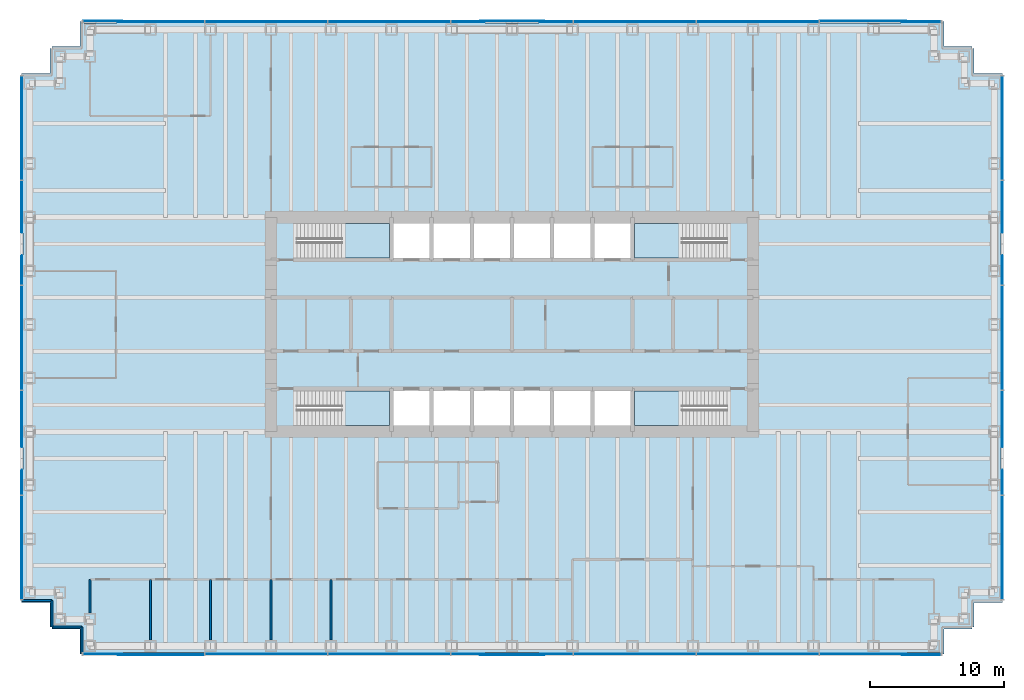
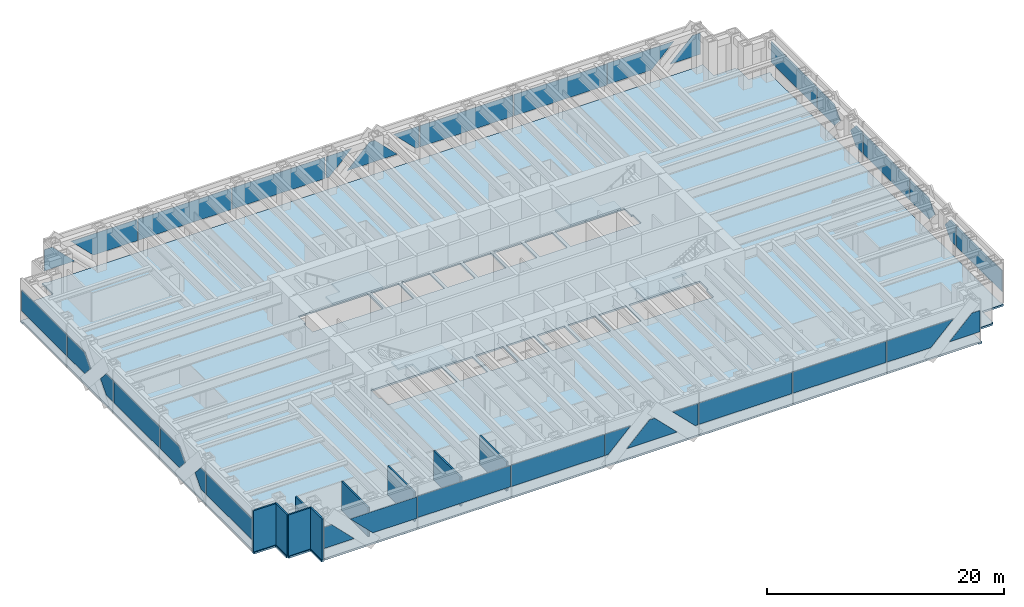
# One storey, part 8 of 13: 36 plates, 9 walls, 5 slabs, 8 elements without a shape of their own.
"""IFC4 building model written with IfcOpenShell, lengths in metres."""

from ifc_helpers import new_model, si_unit, direction, frame, frame_2d, origin, origin_2d, place, context, subcontext, project, spatial, polyline, rectangle, outline, extrude, material, layer, layer_set, type_object, element, aggregate, save


model = new_model("IFC4")

# Units and contexts
model_context = context("Model", 3, precision=1e-05, world=origin(), true_north=direction((0.0, 1.0)))
body_context = subcontext(model_context, "Body", "Model", "MODEL_VIEW")
ifc_project = project(units=[si_unit("LENGTHUNIT", "METRE"), si_unit("AREAUNIT", "SQUARE_METRE"), si_unit("VOLUMEUNIT", "CUBIC_METRE"), si_unit("PLANEANGLEUNIT", "RADIAN"), si_unit("MASSUNIT", "GRAM", prefix="KILO")], contexts=[model_context])

# Site, building, storey
site_placement = place(None, origin())
site = spatial("IfcSite", under=ifc_project, at=site_placement, CompositionType="ELEMENT")
building_placement = place(site_placement, origin())
building = spatial("IfcBuilding", under=site, at=building_placement, Name="Rheinbord Bourse Tower", CompositionType="ELEMENT")
storey_placement = place(building_placement, frame((0.0, 0.0, 90.5)))
storey = spatial("IfcBuildingStorey", under=building, at=storey_placement, Name="L19", CompositionType="ELEMENT", Elevation=90.5)

# Slab
ifc_material_1 = material(Name="Concrete C30/37", Category="concrete")
ifc_layer_1 = layer(ifc_material_1, 0.179931640625)
ifc_layer_set_1 = layer_set([ifc_layer_1], Name="COMPOSITE FLOOR SLAB 180")
slab_type_1 = type_object("IfcSlabType", Name="COMPOSITE FLOOR SLAB 180", PredefinedType="FLOOR", material=ifc_layer_set_1)
slab_1_placement = place(storey_placement, frame((0.0, 0.0, -0.179931640625)))
element("IfcSlab", 1, at=slab_1_placement, inside=storey, type_object=slab_type_1, Name="Floor slab L19", PredefinedType="FLOOR", context=body_context, shape_type="SweptSolid", body=[
    extrude(outline(polyline([(1.64990234375, 1.39990234375), (1.5, 1.39990234375), (1.5, 3.25), (-0.60009765625, 3.25), (-0.60009765625, 3.550048828125), (-0.5, 3.550048828125), (-0.5, 42.449951171875), (-0.60009765625, 42.449951171875), (-0.60009765625, 42.75), (1.5, 42.75), (1.5, 44.60009765625), (1.64990234375, 44.60009765625), (1.64990234375, 44.75), (3.75, 44.75), (3.75, 46.60009765625), (4.050048828125, 46.60009765625), (4.050048828125, 46.5), (67.949951171875, 46.5), (67.949951171875, 46.60009765625), (68.25, 46.60009765625), (68.25, 44.75), (70.35009765625, 44.75), (70.35009765625, 44.60009765625), (70.5, 44.60009765625), (70.5, 42.75), (72.60009765625, 42.75), (72.60009765625, 42.449951171875), (72.5, 42.449951171875), (72.5, 3.550048828125), (72.60009765625, 3.550048828125), (72.60009765625, 3.25), (70.5, 3.25), (70.5, 1.39990234375), (70.35009765625, 1.39990234375), (70.35009765625, 1.25), (68.25, 1.25), (68.25, -0.60009765625), (67.949951171875, -0.60009765625), (67.949951171875, -0.5), (4.050048828125, -0.5), (4.050048828125, -0.60009765625), (3.75, -0.60009765625), (3.75, 1.25), (1.64990234375, 1.25), (1.64990234375, 1.39990234375)]), holes=[polyline([(19.949951171875, 19.050048828125), (26.85009765625, 19.050048828125), (26.85009765625, 16.449951171875), (20.10009765625, 16.449951171875), (20.10009765625, 17.64990234375), (19.949951171875, 17.64990234375), (19.949951171875, 19.050048828125)]), polyline([(26.85009765625, 31.550048828125), (26.85009765625, 28.949951171875), (19.949951171875, 28.949951171875), (19.949951171875, 30.35009765625), (20.10009765625, 30.35009765625), (20.10009765625, 31.550048828125), (26.85009765625, 31.550048828125)]), polyline([(45.14990234375, 16.449951171875), (45.14990234375, 19.050048828125), (52.050048828125, 19.050048828125), (52.050048828125, 17.64990234375), (51.89990234375, 17.64990234375), (51.89990234375, 16.449951171875), (45.14990234375, 16.449951171875)]), polyline([(52.050048828125, 28.949951171875), (45.14990234375, 28.949951171875), (45.14990234375, 31.550048828125), (51.89990234375, 31.550048828125), (51.89990234375, 30.35009765625), (52.050048828125, 30.35009765625), (52.050048828125, 28.949951171875)]), polyline([(27.14990234375, 16.449951171875), (27.14990234375, 19.050048828125), (29.85009765625, 19.050048828125), (29.85009765625, 16.449951171875), (27.14990234375, 16.449951171875)]), polyline([(27.14990234375, 28.949951171875), (27.14990234375, 31.550048828125), (29.85009765625, 31.550048828125), (29.85009765625, 28.949951171875), (27.14990234375, 28.949951171875)]), polyline([(30.14990234375, 16.449951171875), (30.14990234375, 19.050048828125), (32.85009765625, 19.050048828125), (32.85009765625, 16.449951171875), (30.14990234375, 16.449951171875)]), polyline([(30.14990234375, 28.949951171875), (30.14990234375, 31.550048828125), (32.85009765625, 31.550048828125), (32.85009765625, 28.949951171875), (30.14990234375, 28.949951171875)]), polyline([(33.14990234375, 16.449951171875), (33.14990234375, 19.050048828125), (35.85009765625, 19.050048828125), (35.85009765625, 16.449951171875), (33.14990234375, 16.449951171875)]), polyline([(33.14990234375, 28.949951171875), (33.14990234375, 31.550048828125), (35.85009765625, 31.550048828125), (35.85009765625, 28.949951171875), (33.14990234375, 28.949951171875)]), polyline([(36.14990234375, 16.449951171875), (36.14990234375, 19.050048828125), (38.85009765625, 19.050048828125), (38.85009765625, 16.449951171875), (36.14990234375, 16.449951171875)]), polyline([(36.14990234375, 28.949951171875), (36.14990234375, 31.550048828125), (38.85009765625, 31.550048828125), (38.85009765625, 28.949951171875), (36.14990234375, 28.949951171875)]), polyline([(39.14990234375, 16.449951171875), (39.14990234375, 19.050048828125), (41.85009765625, 19.050048828125), (41.85009765625, 16.449951171875), (39.14990234375, 16.449951171875)]), polyline([(39.14990234375, 28.949951171875), (39.14990234375, 31.550048828125), (41.85009765625, 31.550048828125), (41.85009765625, 28.949951171875), (39.14990234375, 28.949951171875)]), polyline([(42.14990234375, 16.449951171875), (42.14990234375, 19.050048828125), (44.85009765625, 19.050048828125), (44.85009765625, 16.449951171875), (42.14990234375, 16.449951171875)]), polyline([(42.14990234375, 28.949951171875), (42.14990234375, 31.550048828125), (44.85009765625, 31.550048828125), (44.85009765625, 28.949951171875), (42.14990234375, 28.949951171875)])]), origin(), (0.0, 0.0, 1.0), 0.179931640625),
])

# Curtain wall, plates
ifc_material_2 = material(Name="Dark glass and black aluminium", Category="aluminium")
curtain_wall_type = type_object("IfcCurtainWallType", Name="CW5 DARK GLASS CURTAIN WALL", PredefinedType="USERDEFINED", material=ifc_material_2)
curtain_wall_1_placement = place(storey_placement, origin())
curtain_wall_1 = element("IfcCurtainWall", 2, at=curtain_wall_1_placement, inside=storey, type_object=curtain_wall_type, Name="Curtain wall CW5 S L19", ObjectType="UNITISED CURTAIN WALL", PredefinedType="USERDEFINED")
ifc_material_3 = material(Name="Dark tinted triple insulating glass", Category="glass")
ifc_layer_2 = layer(ifc_material_3, 0.050048828125)
ifc_layer_set_2 = layer_set([ifc_layer_2], Name="CW5 DARK GLASS PANEL")
plate_type = type_object("IfcPlateType", Name="CW5 DARK GLASS PANEL", PredefinedType="CURTAIN_PANEL", material=ifc_layer_set_2)
plate_1_placement = place(storey_placement, frame((17.6572265625, -0.60009765625, 1.14990234375), z_axis=(0.0, 0.0, 1.0), x_axis=(1.0, 0.0, 0.0)))
plate_1 = element("IfcPlate", 3, at=plate_1_placement, type_object=plate_type, Name="CW5 panel 2.1", PredefinedType="CURTAIN_PANEL", context=body_context, shape_type="SweptSolid", body=[
    extrude(rectangle(XDim=9.09130859375, YDim=0.050048828125, at=origin_2d()), origin(), (0.0, 0.0, 1.0), 2.199951171875),
])
plate_2_placement = place(storey_placement, frame((26.82861328125, -0.60009765625, 1.14990234375), z_axis=(0.0, 0.0, 1.0), x_axis=(1.0, 0.0, 0.0)))
plate_2 = element("IfcPlate", 4, at=plate_2_placement, type_object=plate_type, Name="CW5 panel 3.1", PredefinedType="CURTAIN_PANEL", context=body_context, shape_type="SweptSolid", body=[
    extrude(rectangle(XDim=9.09130859375, YDim=0.050048828125, at=origin_2d()), origin(), (0.0, 0.0, 1.0), 2.199951171875),
])
plate_3_placement = place(storey_placement, frame((45.17138671875, -0.60009765625, 1.14990234375), z_axis=(0.0, 0.0, 1.0), x_axis=(1.0, 0.0, 0.0)))
plate_3 = element("IfcPlate", 5, at=plate_3_placement, type_object=plate_type, Name="CW5 panel 5.1", PredefinedType="CURTAIN_PANEL", context=body_context, shape_type="SweptSolid", body=[
    extrude(rectangle(XDim=9.09130859375, YDim=0.050048828125, at=origin_2d()), origin(), (0.0, 0.0, 1.0), 2.199951171875),
])
plate_4_placement = place(storey_placement, frame((54.3427734375, -0.60009765625, 1.14990234375), z_axis=(0.0, 0.0, 1.0), x_axis=(1.0, 0.0, 0.0)))
plate_4 = element("IfcPlate", 6, at=plate_4_placement, type_object=plate_type, Name="CW5 panel 6.1", PredefinedType="CURTAIN_PANEL", context=body_context, shape_type="SweptSolid", body=[
    extrude(rectangle(XDim=9.09130859375, YDim=0.050048828125, at=origin_2d()), origin(), (0.0, 0.0, 1.0), 2.199951171875),
])
plate_5_placement = place(storey_placement, frame((3.97998046875, -0.625, 1.14990234375), z_axis=(0.0, 1.0, 0.0), x_axis=(0.0, 0.0, 1.0)))
plate_5 = element("IfcPlate", 7, at=plate_5_placement, type_object=plate_type, Name="CW5 glass facet 1", PredefinedType="CURTAIN_PANEL", context=body_context, shape_type="SweptSolid", body=[
    extrude(outline(polyline([(0.0, 0.0), (2.2001953125, 0.0), (2.2001953125, 0.780029296875), (0.0, 2.97998046875), (0.0, 0.0)])), origin(), (0.0, 0.0, 1.0), 0.050048828125),
])
plate_6_placement = place(storey_placement, frame((13.031005859375, -0.68017578125, 3.35009765625), z_axis=(0.0, 1.0, 0.0), x_axis=(0.0, 0.0, -1.0)))
plate_6 = element("IfcPlate", 8, at=plate_6_placement, type_object=plate_type, Name="CW5 glass facet 2", PredefinedType="CURTAIN_PANEL", context=body_context, shape_type="SweptSolid", body=[
    extrude(outline(polyline([(0.0, 0.0), (2.2001953125, 0.0), (2.2001953125, 4.291015625), (0.0, 6.490966796875), (0.0, 0.0)])), origin(), (0.0, 0.0, 1.0), 0.050048828125),
])
plate_7_placement = place(storey_placement, frame((31.4541015625, -0.625, 1.14990234375), z_axis=(0.0, 1.0, 0.0), x_axis=(0.0, 0.0, 1.0)))
plate_7 = element("IfcPlate", 9, at=plate_7_placement, type_object=plate_type, Name="CW5 glass facet 1", PredefinedType="CURTAIN_PANEL", context=body_context, shape_type="SweptSolid", body=[
    extrude(outline(polyline([(0.0, 0.0), (2.2001953125, 0.0), (2.2001953125, 2.505859375), (0.0, 0.305908203125), (0.0, 0.0)])), origin(), (0.0, 0.0, 1.0), 0.050048828125),
])
plate_8_placement = place(storey_placement, frame((33.5400390625, -0.68017578125, 1.14990234375), z_axis=(0.0, 1.0, 0.0), x_axis=(0.70706754652, 0.0, 0.707146013676)))
plate_8 = element("IfcPlate", 10, at=plate_8_placement, type_object=plate_type, Name="CW5 glass facet 2", PredefinedType="CURTAIN_PANEL", context=body_context, shape_type="SweptSolid", body=[
    extrude(outline(polyline([(0.0, 0.0), (3.111328125, 0.0), (3.47900390625, 0.36767578125), (3.478759765625, 3.47900390625), (0.0, 0.0)])), origin(), (0.0, 0.0, 1.0), 0.050048828125),
])
plate_9_placement = place(storey_placement, frame((40.5458984375, -0.625, 3.35009765625), z_axis=(0.0, 1.0, 0.0), x_axis=(0.0, 0.0, -1.0)))
plate_9 = element("IfcPlate", 11, at=plate_9_placement, type_object=plate_type, Name="CW5 glass facet 3", PredefinedType="CURTAIN_PANEL", context=body_context, shape_type="SweptSolid", body=[
    extrude(outline(polyline([(0.0, 0.0), (2.2001953125, 0.0), (2.2001953125, 0.305908203125), (0.0, 2.505859375), (0.0, 0.0)])), origin(), (0.0, 0.0, 1.0), 0.050048828125),
])
plate_10_placement = place(storey_placement, frame((58.968994140625, -0.625, 1.14990234375), z_axis=(0.0, 1.0, 0.0), x_axis=(0.0, 0.0, 1.0)))
plate_10 = element("IfcPlate", 12, at=plate_10_placement, type_object=plate_type, Name="CW5 glass facet 1", PredefinedType="CURTAIN_PANEL", context=body_context, shape_type="SweptSolid", body=[
    extrude(outline(polyline([(0.0, 0.0), (2.2001953125, 0.0), (2.2001953125, 6.490966796875), (0.0, 4.291015625), (0.0, 0.0)])), origin(), (0.0, 0.0, 1.0), 0.050048828125),
])
plate_11_placement = place(storey_placement, frame((68.02001953125, -0.68017578125, 3.35009765625), z_axis=(0.0, 1.0, 0.0), x_axis=(0.0, 0.0, -1.0)))
plate_11 = element("IfcPlate", 13, at=plate_11_placement, type_object=plate_type, Name="CW5 glass facet 2", PredefinedType="CURTAIN_PANEL", context=body_context, shape_type="SweptSolid", body=[
    extrude(outline(polyline([(0.0, 0.0), (2.2001953125, 0.0), (2.2001953125, 2.97998046875), (0.0, 0.780029296875), (0.0, 0.0)])), origin(), (0.0, 0.0, 1.0), 0.050048828125),
])
aggregate(curtain_wall_1, [plate_1, plate_2, plate_3, plate_4, plate_5, plate_6, plate_7, plate_8, plate_9, plate_10, plate_11])

curtain_wall_2_placement = place(storey_placement, origin())
curtain_wall_2 = element("IfcCurtainWall", 14, at=curtain_wall_2_placement, inside=storey, type_object=curtain_wall_type, Name="Curtain wall CW5 E L19", ObjectType="UNITISED CURTAIN WALL", PredefinedType="USERDEFINED")
plate_12_placement = place(storey_placement, frame((72.60009765625, 7.340087890625, 1.14990234375), z_axis=(0.0, 0.0, 1.0), x_axis=(0.0, 1.0, 0.0)))
plate_12 = element("IfcPlate", 15, at=plate_12_placement, type_object=plate_type, Name="CW5 panel 1.1", PredefinedType="CURTAIN_PANEL", context=body_context, shape_type="SweptSolid", body=[
    extrude(rectangle(XDim=7.719970703125, YDim=0.050048828125, at=origin_2d()), origin(), (0.0, 0.0, 1.0), 2.199951171875),
])
plate_13_placement = place(storey_placement, frame((72.60009765625, 23.0, 1.14990234375), z_axis=(0.0, 0.0, 1.0), x_axis=(0.0, 1.0, 0.0)))
plate_13 = element("IfcPlate", 16, at=plate_13_placement, type_object=plate_type, Name="CW5 panel 3.1", PredefinedType="CURTAIN_PANEL", context=body_context, shape_type="SweptSolid", body=[
    extrude(rectangle(XDim=7.760009765625, YDim=0.050048828125, at=origin_2d()), origin(), (0.0, 0.0, 1.0), 2.199951171875),
])
plate_14_placement = place(storey_placement, frame((72.60009765625, 38.659912109375, 1.14990234375), z_axis=(0.0, 0.0, 1.0), x_axis=(0.0, 1.0, 0.0)))
plate_14 = element("IfcPlate", 17, at=plate_14_placement, type_object=plate_type, Name="CW5 panel 5.1", PredefinedType="CURTAIN_PANEL", context=body_context, shape_type="SweptSolid", body=[
    extrude(rectangle(XDim=7.719970703125, YDim=0.050048828125, at=origin_2d()), origin(), (0.0, 0.0, 1.0), 2.199951171875),
])
plate_15_placement = place(storey_placement, frame((72.625, 11.280029296875, 1.14990234375), z_axis=(-1.0, 0.0, 0.0), x_axis=(0.0, 0.0, 1.0)))
plate_15 = element("IfcPlate", 18, at=plate_15_placement, type_object=plate_type, Name="CW5 glass facet 1", PredefinedType="CURTAIN_PANEL", context=body_context, shape_type="SweptSolid", body=[
    extrude(outline(polyline([(0.0, 0.0), (2.2001953125, 0.0), (2.2001953125, 0.89990234375), (1.10009765625, 1.8779296875), (0.0, 0.89990234375), (0.0, 0.0)])), origin(), (0.0, 0.0, 1.0), 0.050048828125),
])
plate_16_placement = place(storey_placement, frame((72.625, 19.0400390625, 3.35009765625), z_axis=(-1.0, 0.0, 0.0), x_axis=(0.0, 0.0, -1.0)))
plate_16 = element("IfcPlate", 19, at=plate_16_placement, type_object=plate_type, Name="CW5 glass facet 2", PredefinedType="CURTAIN_PANEL", context=body_context, shape_type="SweptSolid", body=[
    extrude(outline(polyline([(0.0, 0.0), (2.2001953125, 0.0), (2.2001953125, 3.219970703125), (1.10009765625, 4.197998046875), (0.0, 3.219970703125), (0.0, 0.0)])), origin(), (0.0, 0.0, 1.0), 0.050048828125),
])
plate_17_placement = place(storey_placement, frame((72.625, 26.9599609375, 1.14990234375), z_axis=(-1.0, 0.0, 0.0), x_axis=(0.0, 0.0, 1.0)))
plate_17 = element("IfcPlate", 20, at=plate_17_placement, type_object=plate_type, Name="CW5 glass facet 1", PredefinedType="CURTAIN_PANEL", context=body_context, shape_type="SweptSolid", body=[
    extrude(outline(polyline([(0.0, 0.0), (2.2001953125, 0.0), (2.2001953125, 1.219970703125), (1.10009765625, 2.197998046875), (0.0, 1.219970703125), (0.0, 0.0)])), origin(), (0.0, 0.0, 1.0), 0.050048828125),
])
plate_18_placement = place(storey_placement, frame((72.625, 34.719970703125, 3.35009765625), z_axis=(-1.0, 0.0, 0.0), x_axis=(0.0, 0.0, -1.0)))
plate_18 = element("IfcPlate", 21, at=plate_18_placement, type_object=plate_type, Name="CW5 glass facet 2", PredefinedType="CURTAIN_PANEL", context=body_context, shape_type="SweptSolid", body=[
    extrude(outline(polyline([(0.0, 0.0), (2.2001953125, 0.0), (2.2001953125, 2.89990234375), (1.10009765625, 3.8779296875), (0.0, 2.89990234375), (0.0, 0.0)])), origin(), (0.0, 0.0, 1.0), 0.050048828125),
])
aggregate(curtain_wall_2, [plate_12, plate_13, plate_14, plate_15, plate_16, plate_17, plate_18])

curtain_wall_3_placement = place(storey_placement, origin())
curtain_wall_3 = element("IfcCurtainWall", 22, at=curtain_wall_3_placement, inside=storey, type_object=curtain_wall_type, Name="Curtain wall CW5 N L19", ObjectType="UNITISED CURTAIN WALL", PredefinedType="USERDEFINED")
plate_19_placement = place(storey_placement, frame((54.3427734375, 46.60009765625, 1.14990234375), z_axis=(0.0, 0.0, 1.0), x_axis=(-1.0, 0.0, 0.0)))
plate_19 = element("IfcPlate", 23, at=plate_19_placement, type_object=plate_type, Name="CW5 panel 2.1", PredefinedType="CURTAIN_PANEL", context=body_context, shape_type="SweptSolid", body=[
    extrude(rectangle(XDim=9.09130859375, YDim=0.050048828125, at=origin_2d()), origin(), (0.0, 0.0, 1.0), 2.199951171875),
])
plate_20_placement = place(storey_placement, frame((45.17138671875, 46.60009765625, 1.14990234375), z_axis=(0.0, 0.0, 1.0), x_axis=(-1.0, 0.0, 0.0)))
plate_20 = element("IfcPlate", 24, at=plate_20_placement, type_object=plate_type, Name="CW5 panel 3.1", PredefinedType="CURTAIN_PANEL", context=body_context, shape_type="SweptSolid", body=[
    extrude(rectangle(XDim=9.09130859375, YDim=0.050048828125, at=origin_2d()), origin(), (0.0, 0.0, 1.0), 2.199951171875),
])
plate_21_placement = place(storey_placement, frame((26.82861328125, 46.60009765625, 1.14990234375), z_axis=(0.0, 0.0, 1.0), x_axis=(-1.0, 0.0, 0.0)))
plate_21 = element("IfcPlate", 25, at=plate_21_placement, type_object=plate_type, Name="CW5 panel 5.1", PredefinedType="CURTAIN_PANEL", context=body_context, shape_type="SweptSolid", body=[
    extrude(rectangle(XDim=9.09130859375, YDim=0.050048828125, at=origin_2d()), origin(), (0.0, 0.0, 1.0), 2.199951171875),
])
plate_22_placement = place(storey_placement, frame((17.6572265625, 46.60009765625, 1.14990234375), z_axis=(0.0, 0.0, 1.0), x_axis=(-1.0, 0.0, 0.0)))
plate_22 = element("IfcPlate", 26, at=plate_22_placement, type_object=plate_type, Name="CW5 panel 6.1", PredefinedType="CURTAIN_PANEL", context=body_context, shape_type="SweptSolid", body=[
    extrude(rectangle(XDim=9.09130859375, YDim=0.050048828125, at=origin_2d()), origin(), (0.0, 0.0, 1.0), 2.199951171875),
])
plate_23_placement = place(storey_placement, frame((68.02001953125, 46.625, 1.14990234375), z_axis=(0.0, -1.0, 0.0), x_axis=(0.0, 0.0, 1.0)))
plate_23 = element("IfcPlate", 27, at=plate_23_placement, type_object=plate_type, Name="CW5 glass facet 1", PredefinedType="CURTAIN_PANEL", context=body_context, shape_type="SweptSolid", body=[
    extrude(outline(polyline([(0.0, 0.0), (2.2001953125, 0.0), (2.2001953125, 0.780029296875), (0.0, 2.97998046875), (0.0, 0.0)])), origin(), (0.0, 0.0, 1.0), 0.050048828125),
])
plate_24_placement = place(storey_placement, frame((58.968994140625, 46.68017578125, 3.35009765625), z_axis=(0.0, -1.0, 0.0), x_axis=(0.0, 0.0, -1.0)))
plate_24 = element("IfcPlate", 28, at=plate_24_placement, type_object=plate_type, Name="CW5 glass facet 2", PredefinedType="CURTAIN_PANEL", context=body_context, shape_type="SweptSolid", body=[
    extrude(outline(polyline([(0.0, 0.0), (2.2001953125, 0.0), (2.2001953125, 4.291015625), (0.0, 6.490966796875), (0.0, 0.0)])), origin(), (0.0, 0.0, 1.0), 0.050048828125),
])
plate_25_placement = place(storey_placement, frame((40.5458984375, 46.625, 1.14990234375), z_axis=(0.0, -1.0, 0.0), x_axis=(0.0, 0.0, 1.0)))
plate_25 = element("IfcPlate", 29, at=plate_25_placement, type_object=plate_type, Name="CW5 glass facet 1", PredefinedType="CURTAIN_PANEL", context=body_context, shape_type="SweptSolid", body=[
    extrude(outline(polyline([(0.0, 0.0), (2.2001953125, 0.0), (2.2001953125, 2.505859375), (0.0, 0.305908203125), (0.0, 0.0)])), origin(), (0.0, 0.0, 1.0), 0.050048828125),
])
plate_26_placement = place(storey_placement, frame((38.4599609375, 46.68017578125, 1.14990234375), z_axis=(0.0, -1.0, 0.0), x_axis=(-0.70706754652, 0.0, 0.707146013676)))
plate_26 = element("IfcPlate", 30, at=plate_26_placement, type_object=plate_type, Name="CW5 glass facet 2", PredefinedType="CURTAIN_PANEL", context=body_context, shape_type="SweptSolid", body=[
    extrude(outline(polyline([(0.0, 0.0), (3.111328125, 0.0), (3.47900390625, 0.36767578125), (3.478759765625, 3.47900390625), (0.0, 0.0)])), origin(), (0.0, 0.0, 1.0), 0.050048828125),
])
plate_27_placement = place(storey_placement, frame((31.4541015625, 46.625, 3.35009765625), z_axis=(0.0, -1.0, 0.0), x_axis=(0.0, 0.0, -1.0)))
plate_27 = element("IfcPlate", 31, at=plate_27_placement, type_object=plate_type, Name="CW5 glass facet 3", PredefinedType="CURTAIN_PANEL", context=body_context, shape_type="SweptSolid", body=[
    extrude(outline(polyline([(0.0, 0.0), (2.2001953125, 0.0), (2.2001953125, 0.305908203125), (0.0, 2.505859375), (0.0, 0.0)])), origin(), (0.0, 0.0, 1.0), 0.050048828125),
])
plate_28_placement = place(storey_placement, frame((13.031005859375, 46.625, 1.14990234375), z_axis=(0.0, -1.0, 0.0), x_axis=(0.0, 0.0, 1.0)))
plate_28 = element("IfcPlate", 32, at=plate_28_placement, type_object=plate_type, Name="CW5 glass facet 1", PredefinedType="CURTAIN_PANEL", context=body_context, shape_type="SweptSolid", body=[
    extrude(outline(polyline([(0.0, 0.0), (2.2001953125, 0.0), (2.2001953125, 6.490966796875), (0.0, 4.291015625), (0.0, 0.0)])), origin(), (0.0, 0.0, 1.0), 0.050048828125),
])
plate_29_placement = place(storey_placement, frame((3.97998046875, 46.68017578125, 3.35009765625), z_axis=(0.0, -1.0, 0.0), x_axis=(0.0, 0.0, -1.0)))
plate_29 = element("IfcPlate", 33, at=plate_29_placement, type_object=plate_type, Name="CW5 glass facet 2", PredefinedType="CURTAIN_PANEL", context=body_context, shape_type="SweptSolid", body=[
    extrude(outline(polyline([(0.0, 0.0), (2.2001953125, 0.0), (2.2001953125, 2.97998046875), (0.0, 0.780029296875), (0.0, 0.0)])), origin(), (0.0, 0.0, 1.0), 0.050048828125),
])
aggregate(curtain_wall_3, [plate_19, plate_20, plate_21, plate_22, plate_23, plate_24, plate_25, plate_26, plate_27, plate_28, plate_29])

curtain_wall_4_placement = place(storey_placement, origin())
curtain_wall_4 = element("IfcCurtainWall", 34, at=curtain_wall_4_placement, inside=storey, type_object=curtain_wall_type, Name="Curtain wall CW5 W L19", ObjectType="UNITISED CURTAIN WALL", PredefinedType="USERDEFINED")
plate_30_placement = place(storey_placement, frame((-0.60009765625, 38.659912109375, 1.14990234375), z_axis=(0.0, 0.0, 1.0), x_axis=(0.0, -1.0, 0.0)))
plate_30 = element("IfcPlate", 35, at=plate_30_placement, type_object=plate_type, Name="CW5 panel 1.1", PredefinedType="CURTAIN_PANEL", context=body_context, shape_type="SweptSolid", body=[
    extrude(rectangle(XDim=7.719970703125, YDim=0.050048828125, at=origin_2d()), origin(), (0.0, 0.0, 1.0), 2.199951171875),
])
plate_31_placement = place(storey_placement, frame((-0.60009765625, 23.0, 1.14990234375), z_axis=(0.0, 0.0, 1.0), x_axis=(0.0, -1.0, 0.0)))
plate_31 = element("IfcPlate", 36, at=plate_31_placement, type_object=plate_type, Name="CW5 panel 3.1", PredefinedType="CURTAIN_PANEL", context=body_context, shape_type="SweptSolid", body=[
    extrude(rectangle(XDim=7.760009765625, YDim=0.050048828125, at=origin_2d()), origin(), (0.0, 0.0, 1.0), 2.199951171875),
])
plate_32_placement = place(storey_placement, frame((-0.60009765625, 7.340087890625, 1.14990234375), z_axis=(0.0, 0.0, 1.0), x_axis=(0.0, -1.0, 0.0)))
plate_32 = element("IfcPlate", 37, at=plate_32_placement, type_object=plate_type, Name="CW5 panel 5.1", PredefinedType="CURTAIN_PANEL", context=body_context, shape_type="SweptSolid", body=[
    extrude(rectangle(XDim=7.719970703125, YDim=0.050048828125, at=origin_2d()), origin(), (0.0, 0.0, 1.0), 2.199951171875),
])
plate_33_placement = place(storey_placement, frame((-0.625, 34.719970703125, 1.14990234375), z_axis=(1.0, 0.0, 0.0), x_axis=(0.0, 0.0, 1.0)))
plate_33 = element("IfcPlate", 38, at=plate_33_placement, type_object=plate_type, Name="CW5 glass facet 1", PredefinedType="CURTAIN_PANEL", context=body_context, shape_type="SweptSolid", body=[
    extrude(outline(polyline([(0.0, 0.0), (2.2001953125, 0.0), (2.2001953125, 2.89990234375), (1.10009765625, 3.8779296875), (0.0, 2.89990234375), (0.0, 0.0)])), origin(), (0.0, 0.0, 1.0), 0.050048828125),
])
plate_34_placement = place(storey_placement, frame((-0.625, 26.9599609375, 3.35009765625), z_axis=(1.0, 0.0, 0.0), x_axis=(0.0, 0.0, -1.0)))
plate_34 = element("IfcPlate", 39, at=plate_34_placement, type_object=plate_type, Name="CW5 glass facet 2", PredefinedType="CURTAIN_PANEL", context=body_context, shape_type="SweptSolid", body=[
    extrude(outline(polyline([(0.0, 0.0), (2.2001953125, 0.0), (2.2001953125, 1.219970703125), (1.10009765625, 2.197998046875), (0.0, 1.219970703125), (0.0, 0.0)])), origin(), (0.0, 0.0, 1.0), 0.050048828125),
])
plate_35_placement = place(storey_placement, frame((-0.625, 19.0400390625, 1.14990234375), z_axis=(1.0, 0.0, 0.0), x_axis=(0.0, 0.0, 1.0)))
plate_35 = element("IfcPlate", 40, at=plate_35_placement, type_object=plate_type, Name="CW5 glass facet 1", PredefinedType="CURTAIN_PANEL", context=body_context, shape_type="SweptSolid", body=[
    extrude(outline(polyline([(0.0, 0.0), (2.2001953125, 0.0), (2.2001953125, 3.219970703125), (1.10009765625, 4.197998046875), (0.0, 3.219970703125), (0.0, 0.0)])), origin(), (0.0, 0.0, 1.0), 0.050048828125),
])
plate_36_placement = place(storey_placement, frame((-0.625, 11.280029296875, 3.35009765625), z_axis=(1.0, 0.0, 0.0), x_axis=(0.0, 0.0, -1.0)))
plate_36 = element("IfcPlate", 41, at=plate_36_placement, type_object=plate_type, Name="CW5 glass facet 2", PredefinedType="CURTAIN_PANEL", context=body_context, shape_type="SweptSolid", body=[
    extrude(outline(polyline([(0.0, 0.0), (2.2001953125, 0.0), (2.2001953125, 0.89990234375), (1.10009765625, 1.8779296875), (0.0, 0.89990234375), (0.0, 0.0)])), origin(), (0.0, 0.0, 1.0), 0.050048828125),
])
aggregate(curtain_wall_4, [plate_30, plate_31, plate_32, plate_33, plate_34, plate_35, plate_36])

# Stair, slab
ifc_material_4 = material(Name="Concrete C30/37", Category="concrete")
stair_type = type_object("IfcStairType", Name="CORE STAIR HALF TURN 4500", PredefinedType="HALF_TURN_STAIR", material=ifc_material_4)
stair_1_placement = place(storey_placement, origin())
stair_1 = element("IfcStair", 42, at=stair_1_placement, inside=storey, type_object=stair_type, Name="Stair ST1 L19, type CS4", PredefinedType="HALF_TURN_STAIR")
ifc_material_5 = material(Name="Concrete C30/37", Category="concrete")
ifc_layer_3 = layer(ifc_material_5, 0.199951171875)
ifc_layer_set_3 = layer_set([ifc_layer_3], Name="STAIR LANDING 200")
slab_type_2 = type_object("IfcSlabType", Name="STAIR LANDING 200", PredefinedType="LANDING", material=ifc_layer_set_3)
slab_2_placement = place(storey_placement, frame((0.0, 0.0, 2.050048828125)))
slab_2 = element("IfcSlab", 43, at=slab_2_placement, type_object=slab_type_2, Name="Half landing ST1 L19", PredefinedType="LANDING", context=body_context, shape_type="SweptSolid", body=[
    extrude(outline(polyline([(23.31005859375, 16.449951171875), (26.85009765625, 16.449951171875), (26.85009765625, 19.050048828125), (21.916015625, 19.050048828125), (21.916015625, 17.85009765625), (23.31005859375, 17.85009765625), (23.31005859375, 16.449951171875)])), origin(), (0.0, 0.0, 1.0), 0.199951171875),
])
aggregate(stair_1, [slab_2])

stair_2_placement = place(storey_placement, origin())
stair_2 = element("IfcStair", 44, at=stair_2_placement, inside=storey, type_object=stair_type, Name="Stair ST2 L19, type CS4", PredefinedType="HALF_TURN_STAIR")
slab_3_placement = place(storey_placement, frame((0.0, 0.0, 2.050048828125)))
slab_3 = element("IfcSlab", 45, at=slab_3_placement, type_object=slab_type_2, Name="Half landing ST2 L19", PredefinedType="LANDING", context=body_context, shape_type="SweptSolid", body=[
    extrude(outline(polyline([(21.916015625, 28.949951171875), (26.85009765625, 28.949951171875), (26.85009765625, 31.550048828125), (23.31005859375, 31.550048828125), (23.31005859375, 30.14990234375), (21.916015625, 30.14990234375), (21.916015625, 28.949951171875)])), origin(), (0.0, 0.0, 1.0), 0.199951171875),
])
aggregate(stair_2, [slab_3])

stair_3_placement = place(storey_placement, origin())
stair_3 = element("IfcStair", 46, at=stair_3_placement, inside=storey, type_object=stair_type, Name="Stair ST3 L19, type CS4", PredefinedType="HALF_TURN_STAIR")
slab_4_placement = place(storey_placement, frame((0.0, 0.0, 2.050048828125)))
slab_4 = element("IfcSlab", 47, at=slab_4_placement, type_object=slab_type_2, Name="Half landing ST3 L19", PredefinedType="LANDING", context=body_context, shape_type="SweptSolid", body=[
    extrude(outline(polyline([(45.14990234375, 16.449951171875), (48.68994140625, 16.449951171875), (48.68994140625, 17.85009765625), (50.083984375, 17.85009765625), (50.083984375, 19.050048828125), (45.14990234375, 19.050048828125), (45.14990234375, 16.449951171875)])), origin(), (0.0, 0.0, 1.0), 0.199951171875),
])
aggregate(stair_3, [slab_4])

stair_4_placement = place(storey_placement, origin())
stair_4 = element("IfcStair", 48, at=stair_4_placement, inside=storey, type_object=stair_type, Name="Stair ST4 L19, type CS4", PredefinedType="HALF_TURN_STAIR")
slab_5_placement = place(storey_placement, frame((0.0, 0.0, 2.050048828125)))
slab_5 = element("IfcSlab", 49, at=slab_5_placement, type_object=slab_type_2, Name="Half landing ST4 L19", PredefinedType="LANDING", context=body_context, shape_type="SweptSolid", body=[
    extrude(outline(polyline([(45.14990234375, 28.949951171875), (50.083984375, 28.949951171875), (50.083984375, 30.14990234375), (48.68994140625, 30.14990234375), (48.68994140625, 31.550048828125), (45.14990234375, 31.550048828125), (45.14990234375, 28.949951171875)])), origin(), (0.0, 0.0, 1.0), 0.199951171875),
])
aggregate(stair_4, [slab_5])

# Walls
ifc_material_6 = material(Name="Black metal rainscreen panel", Category="aluminium")
ifc_layer_4 = layer(ifc_material_6, 0.14990234375)
ifc_layer_set_4 = layer_set([ifc_layer_4], Name="CORNER PIER CLADDING 150")
wall_type_1 = type_object("IfcWallType", Name="CORNER PIER CLADDING 150", PredefinedType="ELEMENTEDWALL", material=ifc_layer_set_4)
wall_1_placement = place(storey_placement, frame((-0.60009765625, 3.39990234375, 0.0), z_axis=(0.0, 0.0, 1.0), x_axis=(1.0, 0.0, 0.0)))
element("IfcWall", 50, at=wall_1_placement, inside=storey, type_object=wall_type_1, Name="Corner pier cladding L19 17", PredefinedType="ELEMENTEDWALL", context=body_context, shape_type="SweptSolid", body=[
    extrude(rectangle(XDim=2.25, YDim=0.14990234375, at=frame_2d((1.125, 0.0))), origin(), (0.0, 0.0, 1.0), 4.25),
])
wall_2_placement = place(storey_placement, frame((1.64990234375, 3.39990234375, 0.0), z_axis=(0.0, 0.0, 1.0), x_axis=(0.0, -1.0, 0.0)))
element("IfcWall", 51, at=wall_2_placement, inside=storey, type_object=wall_type_1, Name="Corner pier cladding L19 18", PredefinedType="ELEMENTEDWALL", context=body_context, shape_type="SweptSolid", body=[
    extrude(rectangle(XDim=2.0, YDim=0.14990234375, at=frame_2d((1.0, 0.0))), origin(), (0.0, 0.0, 1.0), 4.25),
])
wall_3_placement = place(storey_placement, frame((1.64990234375, 1.39990234375, 0.0), z_axis=(0.0, 0.0, 1.0), x_axis=(1.0, 0.0, 0.0)))
element("IfcWall", 52, at=wall_3_placement, inside=storey, type_object=wall_type_1, Name="Corner pier cladding L19 19", PredefinedType="ELEMENTEDWALL", context=body_context, shape_type="SweptSolid", body=[
    extrude(rectangle(XDim=2.25, YDim=0.14990234375, at=frame_2d((1.125, 0.0))), origin(), (0.0, 0.0, 1.0), 4.25),
])
wall_4_placement = place(storey_placement, frame((3.89990234375, 1.39990234375, 0.0), z_axis=(0.0, 0.0, 1.0), x_axis=(0.0, -1.0, 0.0)))
element("IfcWall", 53, at=wall_4_placement, inside=storey, type_object=wall_type_1, Name="Corner pier cladding L19 20", PredefinedType="ELEMENTEDWALL", context=body_context, shape_type="SweptSolid", body=[
    extrude(rectangle(XDim=2.0, YDim=0.14990234375, at=frame_2d((1.0, 0.0))), origin(), (0.0, 0.0, 1.0), 4.25),
])
ifc_material_7 = material(Name="Gypsum board partition", Category="gypsum board")
ifc_layer_5 = layer(ifc_material_7, 0.14990234375)
ifc_layer_set_5 = layer_set([ifc_layer_5], Name="PARTITION 150")
wall_type_2 = type_object("IfcWallType", Name="PARTITION 150", PredefinedType="PARTITIONING", material=ifc_layer_set_5)
wall_5_placement = place(storey_placement, frame((4.5, 2.449951171875, 0.0), z_axis=(0.0, 0.0, 1.0), x_axis=(0.0, 1.0, 0.0)))
element("IfcWall", 54, at=wall_5_placement, inside=storey, type_object=wall_type_2, Name="Partition L19-18", PredefinedType="PARTITIONING", context=body_context, shape_type="SweptSolid", body=[
    extrude(rectangle(XDim=2.5, YDim=0.14990234375, at=frame_2d((1.25, 0.0))), origin(), (0.0, 0.0, 1.0), 3.0),
])
for number, where, z_axis, x_axis, name in (
    (55, (9.0, 0.449951171875, 0.0), (0.0, 0.0, 1.0), (0.0, 1.0, 0.0), "Partition L19-21"),
    (56, (13.5, 0.449951171875, 0.0), (0.0, 0.0, 1.0), (0.0, 1.0, 0.0), "Partition L19-22"),
    (57, (18.0, 0.449951171875, 0.0), (0.0, 0.0, 1.0), (0.0, 1.0, 0.0), "Partition L19-24"),
    (58, (22.5, 0.449951171875, 0.0), (0.0, 0.0, 1.0), (0.0, 1.0, 0.0), "Partition L19-27"),
):
    element("IfcWall", number, at=place(storey_placement, frame(where, z_axis=z_axis, x_axis=x_axis)), inside=storey, type_object=wall_type_2, Name=name, PredefinedType="PARTITIONING", context=body_context, shape_type="SweptSolid", body=[
        extrude(rectangle(XDim=4.5, YDim=0.14990234375, at=frame_2d((2.25, 0.0))), origin(), (0.0, 0.0, 1.0), 3.0),
    ])

save(model, "model.ifc")
